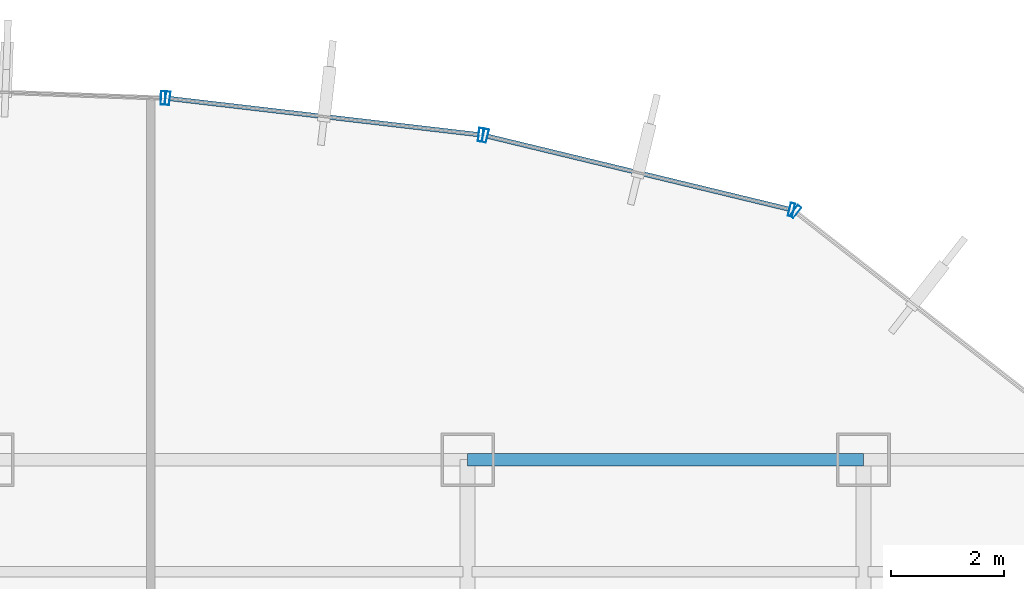
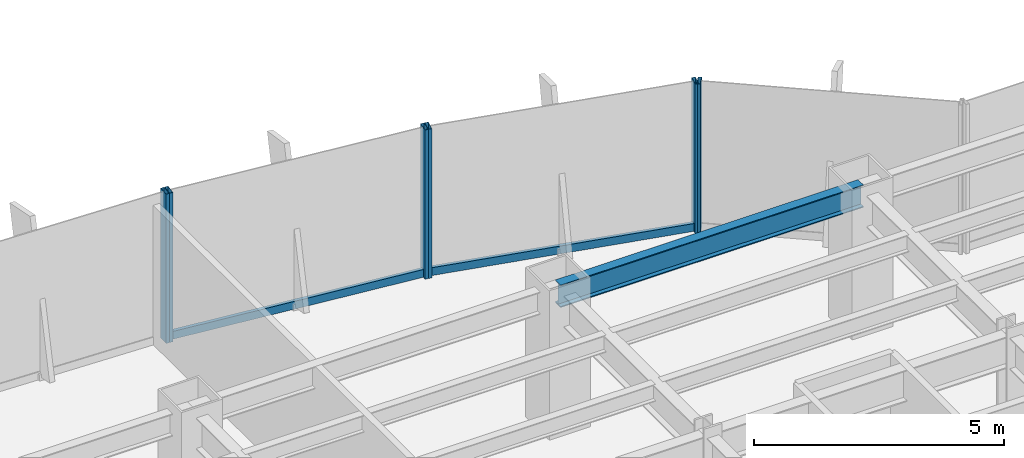
# One storey, part 14 of 22: 8 members, 1 beam, 4 elements without a shape of their own.
"""IFC4 building model written with IfcOpenShell, lengths in metres."""

from ifc_helpers import new_model, si_unit, derived_unit, direction, frame, origin, origin_2d, place, context, subcontext, project, spatial, hollow_rectangle, i_section, extrude, source, transform, mapped, material, material_profile, profile_set, type_object, element, aggregate, save


model = new_model("IFC4")

# Units and contexts
model_context = context("Model", 3, precision=1e-05, world=origin(), true_north=direction((0.0, 1.0)))
body_context = subcontext(model_context, "Body", "Model", "MODEL_VIEW")
ifc_project = project(units=[si_unit("LENGTHUNIT", "METRE"), si_unit("AREAUNIT", "SQUARE_METRE"), si_unit("VOLUMEUNIT", "CUBIC_METRE"), si_unit("PLANEANGLEUNIT", "RADIAN"), si_unit("MASSUNIT", "GRAM", prefix="KILO"), derived_unit("THERMALTRANSMITTANCEUNIT", [(si_unit("POWERUNIT", "WATT"), 1), (si_unit("LENGTHUNIT", "METRE"), -2), (si_unit("THERMODYNAMICTEMPERATUREUNIT", "KELVIN"), -1)])], contexts=[model_context])

# Site, building, storey
site_placement = place(None, origin())
site = spatial("IfcSite", under=ifc_project, at=site_placement, CompositionType="ELEMENT")
building_placement = place(site_placement, origin())
building = spatial("IfcBuilding", under=site, at=building_placement, Name="Skarnbrae Concourse Arena and Tower", CompositionType="ELEMENT")
storey_placement = place(building_placement, frame((0.0, 0.0, 69.0)))
storey = spatial("IfcBuildingStorey", under=building, at=storey_placement, Name="L16", CompositionType="ELEMENT", Elevation=69.0)

# Beam
ifc_material_1 = material(Name="Steel CSA G40.21 350W", Category="steel")
ifc_material_profile_1 = material_profile(ifc_material_1, i_section(OverallWidth=0.214111328125, OverallDepth=0.549072265625, WebThickness=0.0146484375, FlangeThickness=0.023681640625, at=origin_2d()), Name="W530X138")
ifc_profile_set_1 = profile_set([ifc_material_profile_1], Name="Steel CSA G40.21 350W")
beam_type = type_object("IfcBeamType", Name="BM-SPAN-W530X138", PredefinedType="SPANDREL", material=ifc_profile_set_1)
shared_shape_1 = source(origin(), body_context, "Body", "SweptSolid", [
    extrude(i_section(OverallWidth=0.214111328125, OverallDepth=0.549072265625, WebThickness=0.0146484375, FlangeThickness=0.023681640625, at=origin_2d()), origin(), (0.0, 0.0, 1.0), 7.0),
])
beam_placement = place(storey_placement, frame((42.0, 40.39990234375, 3.12548828125), z_axis=(1.0, 0.0, 0.0), x_axis=(0.0, 1.0, 0.0)))
element("IfcBeam", 1, at=beam_placement, inside=storey, type_object=beam_type, Name="L16 Perimeter spandrel Y40.4-6", PredefinedType="SPANDREL", context=body_context, shape_type="MappedRepresentation", body=[
    mapped(shared_shape_1, transform((0.0, 0.0, 0.0))),
])

# Curtain wall, member
ifc_material_2 = material(Name="Bronze anodised aluminium 6063-T6", Category="aluminium")
curtain_wall_type = type_object("IfcCurtainWallType", Name="CW-SYS-02-LOWZONE", PredefinedType="USERDEFINED", material=ifc_material_2)
curtain_wall_1_placement = place(storey_placement, origin())
curtain_wall_1 = element("IfcCurtainWall", 2, at=curtain_wall_1_placement, inside=storey, type_object=curtain_wall_type, Name="L16 Unitised curtain wall CW-L16-E08", ObjectType="UNITISED CURTAIN WALL", PredefinedType="USERDEFINED")
ifc_material_profile_2 = material_profile(ifc_material_2, hollow_rectangle(XDim=0.080078125, YDim=0.239990234375, WallThickness=0.0048828125, at=origin_2d()), Name="ALU-MULL-80X240")
ifc_profile_set_2 = profile_set([ifc_material_profile_2], Name="Bronze anodised aluminium 6063-T6")
member_type_1 = type_object("IfcMemberType", Name="CWM-CW-02", PredefinedType="MULLION", material=ifc_profile_set_2)
shared_shape_2 = source(origin(), body_context, "Body", "SweptSolid", [
    extrude(hollow_rectangle(XDim=0.080078125, YDim=0.239990234375, WallThickness=0.0048828125, at=origin_2d()), origin(), (0.0, 0.0, 1.0), 3.64990234375),
])
member_1_placement = place(storey_placement, frame((47.7978515625, 44.787109375, 0.0), z_axis=(0.0, 0.0, 1.0), x_axis=(-0.787651726054, 0.616120733658, 0.0)))
member_1 = element("IfcMember", 3, at=member_1_placement, type_object=member_type_1, Name="CW-L16-E08 Mullion 2", PredefinedType="MULLION", context=body_context, shape_type="MappedRepresentation", body=[
    mapped(shared_shape_2, transform((0.0, 0.0, 0.0))),
])
aggregate(curtain_wall_1, [member_1])

# Curtain wall, members
curtain_wall_2_placement = place(storey_placement, origin())
curtain_wall_2 = element("IfcCurtainWall", 4, at=curtain_wall_2_placement, inside=storey, type_object=curtain_wall_type, Name="L16 Unitised curtain wall CW-L16-E09", ObjectType="UNITISED CURTAIN WALL", PredefinedType="USERDEFINED")
member_2_placement = place(storey_placement, frame((47.727294921875, 44.821044921875, 0.0), z_axis=(0.0, 0.0, 1.0), x_axis=(-0.971973721569, 0.235089524607, 0.0)))
member_2 = element("IfcMember", 5, at=member_2_placement, type_object=member_type_1, Name="CW-L16-E09 Mullion 1", PredefinedType="MULLION", context=body_context, shape_type="MappedRepresentation", body=[
    mapped(shared_shape_2, transform((0.0, 0.0, 0.0))),
])
member_3_placement = place(storey_placement, frame((42.311279296875, 46.131103515625, 0.0), z_axis=(0.0, 0.0, 1.0), x_axis=(-0.971973721569, 0.235089524607, 0.0)))
member_3 = element("IfcMember", 6, at=member_3_placement, type_object=member_type_1, Name="CW-L16-E09 Mullion 2", PredefinedType="MULLION", context=body_context, shape_type="MappedRepresentation", body=[
    mapped(shared_shape_2, transform((0.0, 0.0, 0.0))),
])

curtain_wall_3_placement = place(storey_placement, origin())
curtain_wall_3 = element("IfcCurtainWall", 7, at=curtain_wall_3_placement, inside=storey, type_object=curtain_wall_type, Name="L16 Unitised curtain wall CW-L16-E10", ObjectType="UNITISED CURTAIN WALL", PredefinedType="USERDEFINED")
member_4_placement = place(storey_placement, frame((42.232666015625, 46.14501953125, 0.0), z_axis=(0.0, 0.0, 1.0), x_axis=(-0.99324457001, 0.116039752435, 0.0)))
member_4 = element("IfcMember", 8, at=member_4_placement, type_object=member_type_1, Name="CW-L16-E10 Mullion 1", PredefinedType="MULLION", context=body_context, shape_type="MappedRepresentation", body=[
    mapped(shared_shape_2, transform((0.0, 0.0, 0.0))),
])
member_5_placement = place(storey_placement, frame((36.693603515625, 46.792236328125, 0.0), z_axis=(0.0, 0.0, 1.0), x_axis=(-0.99324457001, 0.116039752435, 0.0)))
member_5 = element("IfcMember", 9, at=member_5_placement, type_object=member_type_1, Name="CW-L16-E10 Mullion 2", PredefinedType="MULLION", context=body_context, shape_type="MappedRepresentation", body=[
    mapped(shared_shape_2, transform((0.0, 0.0, 0.0))),
])

# Curtain wall, member
curtain_wall_4_placement = place(storey_placement, origin())
curtain_wall_4 = element("IfcCurtainWall", 10, at=curtain_wall_4_placement, inside=storey, type_object=curtain_wall_type, Name="L16 Unitised curtain wall CW-L16-E11", ObjectType="UNITISED CURTAIN WALL", PredefinedType="USERDEFINED")
member_6_placement = place(storey_placement, frame((36.614013671875, 46.79833984375, 0.0), z_axis=(0.0, 0.0, 1.0), x_axis=(-0.999355425188, 0.035898943527, 0.0)))
member_6 = element("IfcMember", 11, at=member_6_placement, type_object=member_type_1, Name="CW-L16-E11 Mullion 1", PredefinedType="MULLION", context=body_context, shape_type="MappedRepresentation", body=[
    mapped(shared_shape_2, transform((0.0, 0.0, 0.0))),
])
aggregate(curtain_wall_4, [member_6])

# Member
ifc_material_profile_3 = material_profile(ifc_material_2, hollow_rectangle(XDim=0.080078125, YDim=0.18994140625, WallThickness=0.0048828125, at=origin_2d()), Name="ALU-TRAN-80X190")
ifc_profile_set_3 = profile_set([ifc_material_profile_3], Name="Bronze anodised aluminium 6063-T6")
member_type_2 = type_object("IfcMemberType", Name="CWT-CW-02", PredefinedType="USERDEFINED", material=ifc_profile_set_3)
shared_shape_3 = source(origin(), body_context, "Body", "SweptSolid", [
    extrude(hollow_rectangle(XDim=0.080078125, YDim=0.18994140625, WallThickness=0.0048828125, at=origin_2d()), origin(), (0.0, 0.0, 1.0), 5.4921875),
])
member_7_placement = place(storey_placement, frame((47.6884765625, 44.83056640625, 0.094970703125), z_axis=(-0.971980728004, 0.235060554728, 0.0), x_axis=(-0.235060554728, -0.971980728004, 0.0)))
member_7 = element("IfcMember", 12, at=member_7_placement, type_object=member_type_2, Name="CW-L16-E09 Transom 1", ObjectType="TRANSOM", PredefinedType="USERDEFINED", context=body_context, shape_type="MappedRepresentation", body=[
    mapped(shared_shape_3, transform((0.0, 0.0, 0.0))),
])

aggregate(curtain_wall_2, [member_2, member_3, member_7])

shared_shape_4 = source(origin(), body_context, "Body", "SweptSolid", [
    extrude(hollow_rectangle(XDim=0.080078125, YDim=0.18994140625, WallThickness=0.0048828125, at=origin_2d()), origin(), (0.0, 0.0, 1.0), 5.49658203125),
])
member_8_placement = place(storey_placement, frame((42.19287109375, 46.14990234375, 0.094970703125), z_axis=(-0.993247281455, 0.116016541417, 0.0), x_axis=(-0.116016541417, -0.993247281455, 0.0)))
member_8 = element("IfcMember", 13, at=member_8_placement, type_object=member_type_2, Name="CW-L16-E10 Transom 1", ObjectType="TRANSOM", PredefinedType="USERDEFINED", context=body_context, shape_type="MappedRepresentation", body=[
    mapped(shared_shape_4, transform((0.0, 0.0, 0.0))),
])

aggregate(curtain_wall_3, [member_4, member_5, member_8])

save(model, "model.ifc")
